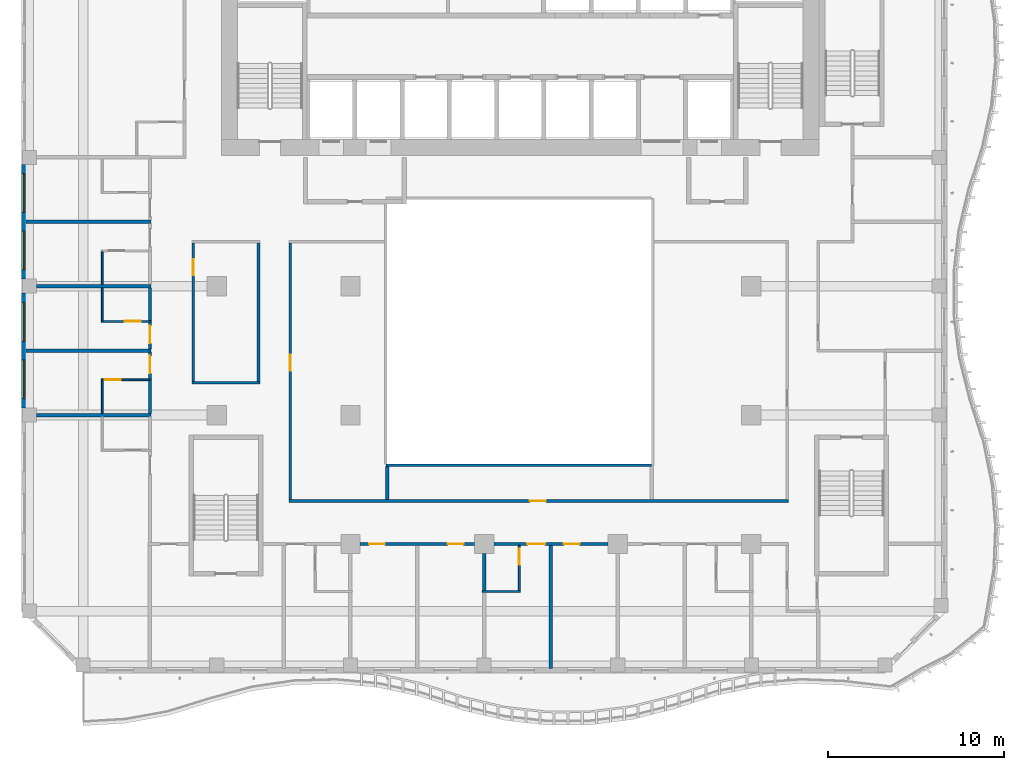
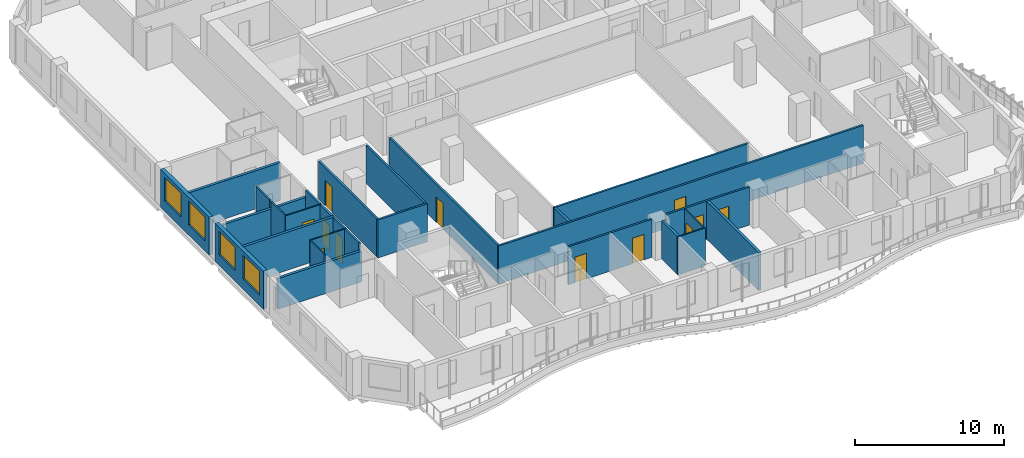
# One storey, part 3 of 21: 28 walls, 12 doors, 4 windows, 16 openings.
"""IFC4 building model written with IfcOpenShell, lengths in metres."""

from ifc_helpers import new_model, si_unit, direction, frame, frame_2d, origin, place, context, subcontext, project, spatial, rectangle, extrude, source, transform, mapped, material, layer, layer_set, type_object, element, fill, save


model = new_model("IFC4")

# Units and contexts
model_context = context("Model", 3, precision=1e-05, world=origin(), true_north=direction((0.0, 1.0)))
body_context = subcontext(model_context, "Body", "Model", "MODEL_VIEW")
ifc_project = project(units=[si_unit("LENGTHUNIT", "METRE"), si_unit("AREAUNIT", "SQUARE_METRE"), si_unit("VOLUMEUNIT", "CUBIC_METRE"), si_unit("PLANEANGLEUNIT", "RADIAN"), si_unit("MASSUNIT", "GRAM", prefix="KILO")], contexts=[model_context])

# Site, building, storey
site_placement = place(None, origin())
site = spatial("IfcSite", under=ifc_project, at=site_placement, CompositionType="ELEMENT")
building_placement = place(site_placement, origin())
building = spatial("IfcBuilding", under=site, at=building_placement, Name="Kilnfold Tower and Market Hall", CompositionType="ELEMENT")
storey_placement = place(building_placement, frame((0.0, 0.0, 147.300048828125)))
storey = spatial("IfcBuildingStorey", under=building, at=storey_placement, Name="L33", CompositionType="ELEMENT", Elevation=147.300048828125)

# Wall
ifc_material_1 = material(Name="Fire-resisting glazed screen")
ifc_layer_1 = layer(ifc_material_1, 0.14990234375)
ifc_layer_set_1 = layer_set([ifc_layer_1], Name="Fire-resisting glazed screen")
wall_type_1 = type_object("IfcWallType", Name="WALL ATRIUM 150", PredefinedType="PARTITIONING", material=ifc_layer_set_1)
wall_1_placement = place(storey_placement, frame((8.5, -9.47509765625, 0.0), z_axis=(0.0, 0.0, 1.0), x_axis=(-1.0, 0.0, 0.0)))
element("IfcWall", 1, at=wall_1_placement, inside=storey, type_object=wall_type_1, Name="Partition LY21.128", PredefinedType="PARTITIONING", context=body_context, shape_type="SweptSolid", body=[
    extrude(rectangle(XDim=15.074951171875, YDim=0.14990234375, at=frame_2d((7.53759765625, 0.0))), origin(), (0.0, 0.0, 1.0), 3.119873046875),
])

# Wall, openings, doors
ifc_material_2 = material(Name="Gypsum board on steel studs", Category="steel")
ifc_layer_2 = layer(ifc_material_2, 0.14990234375)
ifc_layer_set_2 = layer_set([ifc_layer_2], Name="Gypsum board on steel studs")
wall_type_2 = type_object("IfcWallType", Name="WALL CORRIDOR 150", PredefinedType="PARTITIONING", material=ifc_layer_set_2)
wall_2_placement = place(storey_placement, frame((-8.032958984375, -13.93798828125, 0.0), z_axis=(0.0, 0.0, 1.0), x_axis=(1.0, 0.0, 0.0)))
wall_2 = element("IfcWall", 2, at=wall_2_placement, inside=storey, type_object=wall_type_2, Name="Partition LY21.3", PredefinedType="PARTITIONING", context=body_context, shape_type="SweptSolid", body=[
    extrude(rectangle(XDim=6.48291015625, YDim=0.14990234375, at=frame_2d((3.241455078125, 0.0))), origin(), (0.0, 0.0, 1.0), 3.119873046875),
])
opening_1_placement = place(wall_2_placement, frame((0.508056640625, 0.0, 0.0)))
opening_1 = element("IfcOpeningElement", 3, at=opening_1_placement, cuts=wall_2, Name="Opening D2", PredefinedType="OPENING", context=body_context, shape_type="SweptSolid", body=[
    extrude(rectangle(XDim=0.89990234375, YDim=2.10009765625, at=frame_2d((0.449951171875, 1.050048828125))), frame((0.0, 0.0849609375, 0.0), z_axis=(0.0, -1.0, 0.0), x_axis=(1.0, 0.0, 0.0)), (0.0, 0.0, 1.0), 0.169921875),
])
opening_2_placement = place(wall_2_placement, frame((4.971923828125, 0.0, 0.0)))
opening_2 = element("IfcOpeningElement", 4, at=opening_2_placement, cuts=wall_2, Name="Opening D2", PredefinedType="OPENING", context=body_context, shape_type="SweptSolid", body=[
    extrude(rectangle(XDim=0.89990234375, YDim=2.10009765625, at=frame_2d((0.449951171875, 1.050048828125))), frame((0.0, 0.0849609375, 0.0), z_axis=(0.0, -1.0, 0.0), x_axis=(1.0, 0.0, 0.0)), (0.0, 0.0, 1.0), 0.169921875),
])
ifc_material_3 = material(Name="Timber veneer door leaf in steel frame", Category="steel")
door_type_1 = type_object("IfcDoorType", Name="DOOR ROOM 900 X2100", OperationType="NOTDEFINED", PredefinedType="DOOR", material=ifc_material_3)
door_1_placement = place(opening_1_placement, origin())
door_1 = element("IfcDoor", 5, at=door_1_placement, inside=storey, type_object=door_type_1, Name="Door D2", OperationType="SINGLE_SWING_RIGHT", OverallHeight=2.10009765625, OverallWidth=0.89990234375, PredefinedType="DOOR", context=body_context, shape_type="SweptSolid", body=[
    extrude(rectangle(XDim=0.89990234375, YDim=2.10009765625, at=frame_2d((0.449951171875, 1.050048828125))), frame((0.0, 0.02490234375, 0.0), z_axis=(0.0, -1.0, 0.0), x_axis=(1.0, 0.0, 0.0)), (0.0, 0.0, 1.0), 0.050048828125),
])
fill(opening_1, door_1)
door_2_placement = place(opening_2_placement, origin())
door_2 = element("IfcDoor", 6, at=door_2_placement, inside=storey, type_object=door_type_1, Name="Door D2", OperationType="SINGLE_SWING_RIGHT", OverallHeight=2.10009765625, OverallWidth=0.89990234375, PredefinedType="DOOR", context=body_context, shape_type="SweptSolid", body=[
    extrude(rectangle(XDim=0.89990234375, YDim=2.10009765625, at=frame_2d((0.449951171875, 1.050048828125))), frame((0.0, 0.02490234375, 0.0), z_axis=(0.0, -1.0, 0.0), x_axis=(1.0, 0.0, 0.0)), (0.0, 0.0, 1.0), 0.050048828125),
])
fill(opening_2, door_2)

wall_3_placement = place(storey_placement, frame((-0.449951171875, -13.93798828125, 0.0), z_axis=(0.0, 0.0, 1.0), x_axis=(1.0, 0.0, 0.0)))
wall_3 = element("IfcWall", 7, at=wall_3_placement, inside=storey, type_object=wall_type_2, Name="Partition LY21.4", PredefinedType="PARTITIONING", context=body_context, shape_type="SweptSolid", body=[
    extrude(rectangle(XDim=6.48291015625, YDim=0.14990234375, at=frame_2d((3.241455078125, 0.0))), origin(), (0.0, 0.0, 1.0), 3.119873046875),
])
opening_3_placement = place(wall_3_placement, frame((1.908935546875, 0.0, 0.0)))
opening_3 = element("IfcOpeningElement", 8, at=opening_3_placement, cuts=wall_3, Name="Opening D1", PredefinedType="OPENING", context=body_context, shape_type="SweptSolid", body=[
    extrude(rectangle(XDim=1.0, YDim=2.10009765625, at=frame_2d((0.5, 1.050048828125))), frame((0.0, 0.0849609375, 0.0), z_axis=(0.0, -1.0, 0.0), x_axis=(1.0, 0.0, 0.0)), (0.0, 0.0, 1.0), 0.169921875),
])
opening_4_placement = place(wall_3_placement, frame((3.968017578125, 0.0, 0.0)))
opening_4 = element("IfcOpeningElement", 9, at=opening_4_placement, cuts=wall_3, Name="Opening D2", PredefinedType="OPENING", context=body_context, shape_type="SweptSolid", body=[
    extrude(rectangle(XDim=0.89990234375, YDim=2.10009765625, at=frame_2d((0.449951171875, 1.050048828125))), frame((0.0, 0.0849609375, 0.0), z_axis=(0.0, -1.0, 0.0), x_axis=(1.0, 0.0, 0.0)), (0.0, 0.0, 1.0), 0.169921875),
])
ifc_material_4 = material(Name="Timber veneer door leaf in steel frame", Category="steel")
door_type_2 = type_object("IfcDoorType", Name="DOOR ENTRY 1000 X2100", OperationType="NOTDEFINED", PredefinedType="DOOR", material=ifc_material_4)
door_3_placement = place(opening_3_placement, origin())
door_3 = element("IfcDoor", 10, at=door_3_placement, inside=storey, type_object=door_type_2, Name="Door D1", OperationType="SINGLE_SWING_RIGHT", OverallHeight=2.10009765625, OverallWidth=1.0, PredefinedType="DOOR", context=body_context, shape_type="SweptSolid", body=[
    extrude(rectangle(XDim=1.0, YDim=2.10009765625, at=frame_2d((0.5, 1.050048828125))), frame((0.0, 0.02490234375, 0.0), z_axis=(0.0, -1.0, 0.0), x_axis=(1.0, 0.0, 0.0)), (0.0, 0.0, 1.0), 0.050048828125),
])
fill(opening_3, door_3)
door_4_placement = place(opening_4_placement, origin())
door_4 = element("IfcDoor", 11, at=door_4_placement, inside=storey, type_object=door_type_1, Name="Door D2", OperationType="SINGLE_SWING_LEFT", OverallHeight=2.10009765625, OverallWidth=0.89990234375, PredefinedType="DOOR", context=body_context, shape_type="SweptSolid", body=[
    extrude(rectangle(XDim=0.89990234375, YDim=2.10009765625, at=frame_2d((0.449951171875, 1.050048828125))), frame((0.0, 0.02490234375, 0.0), z_axis=(0.0, -1.0, 0.0), x_axis=(1.0, 0.0, 0.0)), (0.0, 0.0, 1.0), 0.050048828125),
])
fill(opening_4, door_4)

# Wall, opening, door
wall_4_placement = place(storey_placement, frame((-19.958984375, -4.5849609375, 0.0), z_axis=(0.0, 0.0, 1.0), x_axis=(0.0, 1.0, 0.0)))
wall_4 = element("IfcWall", 12, at=wall_4_placement, inside=storey, type_object=wall_type_2, Name="Partition LY21.12", PredefinedType="PARTITIONING", context=body_context, shape_type="SweptSolid", body=[
    extrude(rectangle(XDim=1.52587890625, YDim=0.14990234375, at=frame_2d((0.762939453125, 0.0))), origin(), (0.0, 0.0, 1.0), 3.119873046875),
])
opening_5_placement = place(wall_4_placement, frame((0.325927734375, 0.0, 0.0)))
opening_5 = element("IfcOpeningElement", 13, at=opening_5_placement, cuts=wall_4, Name="Opening D1", PredefinedType="OPENING", context=body_context, shape_type="SweptSolid", body=[
    extrude(rectangle(XDim=1.0, YDim=2.10009765625, at=frame_2d((0.5, 1.050048828125))), frame((0.0, 0.0849609375, 0.0), z_axis=(0.0, -1.0, 0.0), x_axis=(1.0, 0.0, 0.0)), (0.0, 0.0, 1.0), 0.169921875),
])
door_5_placement = place(opening_5_placement, origin())
door_5 = element("IfcDoor", 14, at=door_5_placement, inside=storey, type_object=door_type_2, Name="Door D1", OperationType="SINGLE_SWING_LEFT", OverallHeight=2.10009765625, OverallWidth=1.0, PredefinedType="DOOR", context=body_context, shape_type="SweptSolid", body=[
    extrude(rectangle(XDim=1.0, YDim=2.10009765625, at=frame_2d((0.5, 1.050048828125))), frame((0.0, 0.02490234375, 0.0), z_axis=(0.0, -1.0, 0.0), x_axis=(1.0, 0.0, 0.0)), (0.0, 0.0, 1.0), 0.050048828125),
])
fill(opening_5, door_5)

# Wall
wall_5_placement = place(storey_placement, frame((-19.958984375, -6.534912109375, 0.0), z_axis=(0.0, 0.0, 1.0), x_axis=(0.0, 1.0, 0.0)))
element("IfcWall", 15, at=wall_5_placement, inside=storey, type_object=wall_type_2, Name="Partition LY21.13", PredefinedType="PARTITIONING", context=body_context, shape_type="SweptSolid", body=[
    extrude(rectangle(XDim=1.869873046875, YDim=0.14990234375, at=frame_2d((0.93505859375, 0.0))), origin(), (0.0, 0.0, 1.0), 3.119873046875),
])

# Wall, opening, door
wall_6_placement = place(storey_placement, frame((-19.958984375, -2.87890625, 0.0), z_axis=(0.0, 0.0, 1.0), x_axis=(0.0, 1.0, 0.0)))
wall_6 = element("IfcWall", 16, at=wall_6_placement, inside=storey, type_object=wall_type_2, Name="Partition LY21.14", PredefinedType="PARTITIONING", context=body_context, shape_type="SweptSolid", body=[
    extrude(rectangle(XDim=1.52685546875, YDim=0.14990234375, at=frame_2d((0.763427734375, 0.0))), origin(), (0.0, 0.0, 1.0), 3.119873046875),
])
opening_6_placement = place(wall_6_placement, frame((0.326904296875, 0.0, 0.0)))
opening_6 = element("IfcOpeningElement", 17, at=opening_6_placement, cuts=wall_6, Name="Opening D1", PredefinedType="OPENING", context=body_context, shape_type="SweptSolid", body=[
    extrude(rectangle(XDim=1.0, YDim=2.10009765625, at=frame_2d((0.5, 1.050048828125))), frame((0.0, 0.0849609375, 0.0), z_axis=(0.0, -1.0, 0.0), x_axis=(1.0, 0.0, 0.0)), (0.0, 0.0, 1.0), 0.169921875),
])
door_6_placement = place(opening_6_placement, origin())
door_6 = element("IfcDoor", 18, at=door_6_placement, inside=storey, type_object=door_type_2, Name="Door D1", OperationType="SINGLE_SWING_LEFT", OverallHeight=2.10009765625, OverallWidth=1.0, PredefinedType="DOOR", context=body_context, shape_type="SweptSolid", body=[
    extrude(rectangle(XDim=1.0, YDim=2.10009765625, at=frame_2d((0.5, 1.050048828125))), frame((0.0, 0.02490234375, 0.0), z_axis=(0.0, -1.0, 0.0), x_axis=(1.0, 0.0, 0.0)), (0.0, 0.0, 1.0), 0.050048828125),
])
fill(opening_6, door_6)

# Wall
wall_7_placement = place(storey_placement, frame((-19.958984375, -1.27197265625, 0.0), z_axis=(0.0, 0.0, 1.0), x_axis=(0.0, 1.0, 0.0)))
element("IfcWall", 19, at=wall_7_placement, inside=storey, type_object=wall_type_2, Name="Partition LY21.15", PredefinedType="PARTITIONING", context=body_context, shape_type="SweptSolid", body=[
    extrude(rectangle(XDim=1.869873046875, YDim=0.14990234375, at=frame_2d((0.93505859375, 0.0))), origin(), (0.0, 0.0, 1.0), 3.119873046875),
])

# Wall, opening, door
wall_8_placement = place(storey_placement, frame((-12.0, -11.425048828125, 0.0), z_axis=(0.0, 0.0, 1.0), x_axis=(0.0, 1.0, 0.0)))
wall_8 = element("IfcWall", 20, at=wall_8_placement, inside=storey, type_object=wall_type_2, Name="Partition LY21.37", PredefinedType="PARTITIONING", context=body_context, shape_type="SweptSolid", body=[
    extrude(rectangle(XDim=14.550048828125, YDim=0.14990234375, at=frame_2d((7.27490234375, 0.0))), origin(), (0.0, 0.0, 1.0), 3.119873046875),
])
opening_7_placement = place(wall_8_placement, frame((7.326904296875, 0.0, 0.0)))
opening_7 = element("IfcOpeningElement", 21, at=opening_7_placement, cuts=wall_8, Name="Opening D2", PredefinedType="OPENING", context=body_context, shape_type="SweptSolid", body=[
    extrude(rectangle(XDim=0.89990234375, YDim=2.10009765625, at=frame_2d((0.449951171875, 1.050048828125))), frame((0.0, 0.0849609375, 0.0), z_axis=(0.0, -1.0, 0.0), x_axis=(1.0, 0.0, 0.0)), (0.0, 0.0, 1.0), 0.169921875),
])
door_7_placement = place(opening_7_placement, origin())
door_7 = element("IfcDoor", 22, at=door_7_placement, inside=storey, type_object=door_type_1, Name="Door D2", OperationType="SINGLE_SWING_RIGHT", OverallHeight=2.10009765625, OverallWidth=0.89990234375, PredefinedType="DOOR", context=body_context, shape_type="SweptSolid", body=[
    extrude(rectangle(XDim=0.89990234375, YDim=2.10009765625, at=frame_2d((0.449951171875, 1.050048828125))), frame((0.0, 0.02490234375, 0.0), z_axis=(0.0, -1.0, 0.0), x_axis=(1.0, 0.0, 0.0)), (0.0, 0.0, 1.0), 0.050048828125),
])
fill(opening_7, door_7)

wall_9_placement = place(storey_placement, frame((-12.074951171875, -11.5, 0.0), z_axis=(0.0, 0.0, 1.0), x_axis=(1.0, 0.0, 0.0)))
wall_9 = element("IfcWall", 23, at=wall_9_placement, inside=storey, type_object=wall_type_2, Name="Partition LY21.38", PredefinedType="PARTITIONING", context=body_context, shape_type="SweptSolid", body=[
    extrude(rectangle(XDim=28.349853515625, YDim=0.14990234375, at=frame_2d((14.1748046875, 0.0))), origin(), (0.0, 0.0, 1.0), 3.119873046875),
])
opening_8_placement = place(wall_9_placement, frame((13.677001953125, 0.0, 0.0)))
opening_8 = element("IfcOpeningElement", 24, at=opening_8_placement, cuts=wall_9, Name="Opening D2", PredefinedType="OPENING", context=body_context, shape_type="SweptSolid", body=[
    extrude(rectangle(XDim=0.89990234375, YDim=2.10009765625, at=frame_2d((0.449951171875, 1.050048828125))), frame((0.0, 0.0849609375, 0.0), z_axis=(0.0, -1.0, 0.0), x_axis=(1.0, 0.0, 0.0)), (0.0, 0.0, 1.0), 0.169921875),
])
door_8_placement = place(opening_8_placement, origin())
door_8 = element("IfcDoor", 25, at=door_8_placement, inside=storey, type_object=door_type_1, Name="Door D2", OperationType="SINGLE_SWING_LEFT", OverallHeight=2.10009765625, OverallWidth=0.89990234375, PredefinedType="DOOR", context=body_context, shape_type="SweptSolid", body=[
    extrude(rectangle(XDim=0.89990234375, YDim=2.10009765625, at=frame_2d((0.449951171875, 1.050048828125))), frame((0.0, 0.02490234375, 0.0), z_axis=(0.0, -1.0, 0.0), x_axis=(1.0, 0.0, 0.0)), (0.0, 0.0, 1.0), 0.050048828125),
])
fill(opening_8, door_8)

wall_10_placement = place(storey_placement, frame((-17.5, -4.72509765625, 0.0), z_axis=(0.0, 0.0, 1.0), x_axis=(0.0, 1.0, 0.0)))
wall_10 = element("IfcWall", 26, at=wall_10_placement, inside=storey, type_object=wall_type_2, Name="Partition LY21.40", PredefinedType="PARTITIONING", context=body_context, shape_type="SweptSolid", body=[
    extrude(rectangle(XDim=7.85009765625, YDim=0.14990234375, at=frame_2d((3.925048828125, 0.0))), origin(), (0.0, 0.0, 1.0), 3.119873046875),
])
opening_9_placement = place(wall_10_placement, frame((6.044921875, 0.0, 0.0)))
opening_9 = element("IfcOpeningElement", 27, at=opening_9_placement, cuts=wall_10, Name="Opening D2", PredefinedType="OPENING", context=body_context, shape_type="SweptSolid", body=[
    extrude(rectangle(XDim=0.89990234375, YDim=2.10009765625, at=frame_2d((0.449951171875, 1.050048828125))), frame((0.0, 0.0849609375, 0.0), z_axis=(0.0, -1.0, 0.0), x_axis=(1.0, 0.0, 0.0)), (0.0, 0.0, 1.0), 0.169921875),
])
door_9_placement = place(opening_9_placement, origin())
door_9 = element("IfcDoor", 28, at=door_9_placement, inside=storey, type_object=door_type_1, Name="Door D2", OperationType="SINGLE_SWING_LEFT", OverallHeight=2.10009765625, OverallWidth=0.89990234375, PredefinedType="DOOR", context=body_context, shape_type="SweptSolid", body=[
    extrude(rectangle(XDim=0.89990234375, YDim=2.10009765625, at=frame_2d((0.449951171875, 1.050048828125))), frame((0.0, 0.02490234375, 0.0), z_axis=(0.0, -1.0, 0.0), x_axis=(1.0, 0.0, 0.0)), (0.0, 0.0, 1.0), 0.050048828125),
])
fill(opening_9, door_9)

# Walls
wall_11_placement = place(storey_placement, frame((-13.72509765625, -4.800048828125, 0.0), z_axis=(0.0, 0.0, 1.0), x_axis=(-1.0, 0.0, 0.0)))
element("IfcWall", 29, at=wall_11_placement, inside=storey, type_object=wall_type_2, Name="Partition LY21.41", PredefinedType="PARTITIONING", context=body_context, shape_type="SweptSolid", body=[
    extrude(rectangle(XDim=3.849853515625, YDim=0.14990234375, at=frame_2d((1.9248046875, 0.0))), origin(), (0.0, 0.0, 1.0), 3.119873046875),
])
wall_12_placement = place(storey_placement, frame((-13.800048828125, 3.125, 0.0), z_axis=(0.0, 0.0, 1.0), x_axis=(0.0, -1.0, 0.0)))
element("IfcWall", 30, at=wall_12_placement, inside=storey, type_object=wall_type_2, Name="Partition LY21.42", PredefinedType="PARTITIONING", context=body_context, shape_type="SweptSolid", body=[
    extrude(rectangle(XDim=7.85009765625, YDim=0.14990234375, at=frame_2d((3.925048828125, 0.0))), origin(), (0.0, 0.0, 1.0), 3.119873046875),
])

# Wall, opening, door
ifc_material_5 = material(Name="Gypsum board on steel studs", Category="steel")
ifc_layer_3 = layer(ifc_material_5, 0.10009765625)
ifc_layer_set_3 = layer_set([ifc_layer_3], Name="Gypsum board on steel studs")
wall_type_3 = type_object("IfcWallType", Name="WALL PARTITION 100", PredefinedType="PARTITIONING", material=ifc_layer_set_3)
wall_13_placement = place(storey_placement, frame((1.0, -16.590087890625, 0.0), z_axis=(0.0, 0.0, 1.0), x_axis=(0.0, 1.0, 0.0)))
wall_13 = element("IfcWall", 31, at=wall_13_placement, inside=storey, type_object=wall_type_3, Name="Partition LY21.54", PredefinedType="PARTITIONING", context=body_context, shape_type="SweptSolid", body=[
    extrude(rectangle(XDim=2.5751953125, YDim=0.10009765625, at=frame_2d((1.28759765625, 0.0))), origin(), (0.0, 0.0, 1.0), 3.119873046875),
])
opening_10_placement = place(wall_13_placement, frame((1.47509765625, 0.0, 0.0)))
opening_10 = element("IfcOpeningElement", 32, at=opening_10_placement, cuts=wall_13, Name="Opening D3", PredefinedType="OPENING", context=body_context, shape_type="SweptSolid", body=[
    extrude(rectangle(XDim=0.89990234375, YDim=2.10009765625, at=frame_2d((0.449951171875, 1.050048828125))), frame((0.0, 0.06005859375, 0.0), z_axis=(0.0, -1.0, 0.0), x_axis=(1.0, 0.0, 0.0)), (0.0, 0.0, 1.0), 0.1201171875),
])
ifc_material_6 = material(Name="Timber veneer door leaf in steel frame", Category="steel")
door_type_3 = type_object("IfcDoorType", Name="DOOR WC 900 X2100", OperationType="NOTDEFINED", PredefinedType="DOOR", material=ifc_material_6)
door_10_placement = place(opening_10_placement, origin())
door_10 = element("IfcDoor", 33, at=door_10_placement, inside=storey, type_object=door_type_3, Name="Door D3", OperationType="SINGLE_SWING_LEFT", OverallHeight=2.10009765625, OverallWidth=0.89990234375, PredefinedType="DOOR", context=body_context, shape_type="SweptSolid", body=[
    extrude(rectangle(XDim=0.89990234375, YDim=2.10009765625, at=frame_2d((0.449951171875, 1.050048828125))), frame((0.0, 0.02490234375, 0.0), z_axis=(0.0, -1.0, 0.0), x_axis=(1.0, 0.0, 0.0)), (0.0, 0.0, 1.0), 0.050048828125),
])
fill(opening_10, door_10)

# Wall
wall_14_placement = place(storey_placement, frame((-1.10009765625, -16.639892578125, 0.0), z_axis=(0.0, 0.0, 1.0), x_axis=(1.0, 0.0, 0.0)))
element("IfcWall", 34, at=wall_14_placement, inside=storey, type_object=wall_type_3, Name="Partition LY21.55", PredefinedType="PARTITIONING", context=body_context, shape_type="SweptSolid", body=[
    extrude(rectangle(XDim=2.150146484375, YDim=0.10009765625, at=frame_2d((1.0751953125, 0.0))), origin(), (0.0, 0.0, 1.0), 3.119873046875),
])

# Wall, opening, door
wall_15_placement = place(storey_placement, frame((-22.7109375, -4.625, 0.0), z_axis=(0.0, 0.0, 1.0), x_axis=(1.0, 0.0, 0.0)))
wall_15 = element("IfcWall", 35, at=wall_15_placement, inside=storey, type_object=wall_type_3, Name="Partition LY21.68", PredefinedType="PARTITIONING", context=body_context, shape_type="SweptSolid", body=[
    extrude(rectangle(XDim=2.824951171875, YDim=0.10009765625, at=frame_2d((1.41259765625, 0.0))), origin(), (0.0, 0.0, 1.0), 3.119873046875),
])
opening_11_placement = place(wall_15_placement, frame((0.199951171875, 0.0, 0.0)))
opening_11 = element("IfcOpeningElement", 36, at=opening_11_placement, cuts=wall_15, Name="Opening D3", PredefinedType="OPENING", context=body_context, shape_type="SweptSolid", body=[
    extrude(rectangle(XDim=0.89990234375, YDim=2.10009765625, at=frame_2d((0.449951171875, 1.050048828125))), frame((0.0, 0.06005859375, 0.0), z_axis=(0.0, -1.0, 0.0), x_axis=(1.0, 0.0, 0.0)), (0.0, 0.0, 1.0), 0.1201171875),
])
door_11_placement = place(opening_11_placement, origin())
door_11 = element("IfcDoor", 37, at=door_11_placement, inside=storey, type_object=door_type_3, Name="Door D3", OperationType="SINGLE_SWING_LEFT", OverallHeight=2.10009765625, OverallWidth=0.89990234375, PredefinedType="DOOR", context=body_context, shape_type="SweptSolid", body=[
    extrude(rectangle(XDim=0.89990234375, YDim=2.10009765625, at=frame_2d((0.449951171875, 1.050048828125))), frame((0.0, 0.02490234375, 0.0), z_axis=(0.0, -1.0, 0.0), x_axis=(1.0, 0.0, 0.0)), (0.0, 0.0, 1.0), 0.050048828125),
])
fill(opening_11, door_11)

# Wall
wall_16_placement = place(storey_placement, frame((-22.660888671875, -6.52490234375, 0.0), z_axis=(0.0, 0.0, 1.0), x_axis=(0.0, 1.0, 0.0)))
element("IfcWall", 38, at=wall_16_placement, inside=storey, type_object=wall_type_3, Name="Partition LY21.69", PredefinedType="PARTITIONING", context=body_context, shape_type="SweptSolid", body=[
    extrude(rectangle(XDim=1.849853515625, YDim=0.10009765625, at=frame_2d((0.9248046875, 0.0))), origin(), (0.0, 0.0, 1.0), 3.119873046875),
])

# Wall, opening, door
wall_17_placement = place(storey_placement, frame((-19.885986328125, -1.31201171875, 0.0), z_axis=(0.0, 0.0, 1.0), x_axis=(-1.0, 0.0, 0.0)))
wall_17 = element("IfcWall", 39, at=wall_17_placement, inside=storey, type_object=wall_type_3, Name="Partition LY21.71", PredefinedType="PARTITIONING", context=body_context, shape_type="SweptSolid", body=[
    extrude(rectangle(XDim=2.824951171875, YDim=0.10009765625, at=frame_2d((1.41259765625, 0.0))), origin(), (0.0, 0.0, 1.0), 3.119873046875),
])
opening_12_placement = place(wall_17_placement, frame((0.60693359375, 0.0, 0.0)))
opening_12 = element("IfcOpeningElement", 40, at=opening_12_placement, cuts=wall_17, Name="Opening D3", PredefinedType="OPENING", context=body_context, shape_type="SweptSolid", body=[
    extrude(rectangle(XDim=0.89990234375, YDim=2.10009765625, at=frame_2d((0.449951171875, 1.050048828125))), frame((0.0, 0.06005859375, 0.0), z_axis=(0.0, -1.0, 0.0), x_axis=(1.0, 0.0, 0.0)), (0.0, 0.0, 1.0), 0.1201171875),
])
door_12_placement = place(opening_12_placement, origin())
door_12 = element("IfcDoor", 41, at=door_12_placement, inside=storey, type_object=door_type_3, Name="Door D3", OperationType="SINGLE_SWING_LEFT", OverallHeight=2.10009765625, OverallWidth=0.89990234375, PredefinedType="DOOR", context=body_context, shape_type="SweptSolid", body=[
    extrude(rectangle(XDim=0.89990234375, YDim=2.10009765625, at=frame_2d((0.449951171875, 1.050048828125))), frame((0.0, 0.02490234375, 0.0), z_axis=(0.0, -1.0, 0.0), x_axis=(1.0, 0.0, 0.0)), (0.0, 0.0, 1.0), 0.050048828125),
])
fill(opening_12, door_12)

# Walls
for number, where, z_axis, x_axis, name in (
    (42, (-22.660888671875, -1.261962890625, 0.0), (0.0, 0.0, 1.0), (0.0, 1.0, 0.0), "Partition LY21.72"),
    (43, (-22.660888671875, 0.7880859375, 0.0), (0.0, 0.0, 1.0), (0.0, 1.0, 0.0), "Partition LY21.75"),
):
    element("IfcWall", number, at=place(storey_placement, frame(where, z_axis=z_axis, x_axis=x_axis)), inside=storey, type_object=wall_type_3, Name=name, PredefinedType="PARTITIONING", context=body_context, shape_type="SweptSolid", body=[
        extrude(rectangle(XDim=1.849853515625, YDim=0.10009765625, at=frame_2d((0.9248046875, 0.0))), origin(), (0.0, 0.0, 1.0), 3.119873046875),
    ])
ifc_material_7 = material(Name="Gypsum board on steel studs", Category="steel")
ifc_layer_4 = layer(ifc_material_7, 0.199951171875)
ifc_layer_set_4 = layer_set([ifc_layer_4], Name="Gypsum board on steel studs")
wall_type_4 = type_object("IfcWallType", Name="WALL PARTY 200", PredefinedType="PARTITIONING", material=ifc_layer_set_4)
wall_18_placement = place(storey_placement, frame((-1.0, -16.60009765625, 0.0), z_axis=(0.0, 0.0, 1.0), x_axis=(0.0, 1.0, 0.0)))
element("IfcWall", 44, at=wall_18_placement, inside=storey, type_object=wall_type_4, Name="Partition LY21.53", PredefinedType="PARTITIONING", context=body_context, shape_type="SweptSolid", body=[
    extrude(rectangle(XDim=2.112060546875, YDim=0.199951171875, at=frame_2d((1.05615234375, 0.0))), origin(), (0.0, 0.0, 1.0), 3.119873046875),
])
wall_19_placement = place(storey_placement, frame((2.7919921875, -21.0, 0.0), z_axis=(0.0, 0.0, 1.0), x_axis=(0.0, 1.0, 0.0)))
element("IfcWall", 45, at=wall_19_placement, inside=storey, type_object=wall_type_4, Name="Partition LY21.56", PredefinedType="PARTITIONING", context=body_context, shape_type="SweptSolid", body=[
    extrude(rectangle(XDim=6.985107421875, YDim=0.199951171875, at=frame_2d((3.49267578125, 0.0))), origin(), (0.0, 0.0, 1.0), 3.119873046875),
])
wall_20_placement = place(storey_placement, frame((-26.39990234375, -6.625, 0.0), z_axis=(0.0, 0.0, 1.0), x_axis=(1.0, 0.0, 0.0)))
element("IfcWall", 46, at=wall_20_placement, inside=storey, type_object=wall_type_4, Name="Partition LY21.67", PredefinedType="PARTITIONING", context=body_context, shape_type="SweptSolid", body=[
    extrude(rectangle(XDim=6.513916015625, YDim=0.199951171875, at=frame_2d((3.2568359375, 0.0))), origin(), (0.0, 0.0, 1.0), 2.52001953125),
])
wall_21_placement = place(storey_placement, frame((-19.885986328125, -2.968994140625, 0.0), z_axis=(0.0, 0.0, 1.0), x_axis=(-1.0, 0.0, 0.0)))
element("IfcWall", 47, at=wall_21_placement, inside=storey, type_object=wall_type_4, Name="Partition LY21.70", PredefinedType="PARTITIONING", context=body_context, shape_type="SweptSolid", body=[
    extrude(rectangle(XDim=7.114013671875, YDim=0.199951171875, at=frame_2d((3.55712890625, 0.0))), origin(), (0.0, 0.0, 1.0), 3.119873046875),
])
wall_22_placement = place(storey_placement, frame((-26.39990234375, 0.68798828125, 0.0), z_axis=(0.0, 0.0, 1.0), x_axis=(1.0, 0.0, 0.0)))
element("IfcWall", 48, at=wall_22_placement, inside=storey, type_object=wall_type_4, Name="Partition LY21.73", PredefinedType="PARTITIONING", context=body_context, shape_type="SweptSolid", body=[
    extrude(rectangle(XDim=6.513916015625, YDim=0.199951171875, at=frame_2d((3.2568359375, 0.0))), origin(), (0.0, 0.0, 1.0), 2.52001953125),
])
wall_23_placement = place(storey_placement, frame((-27.0, 4.343994140625, 0.0), z_axis=(0.0, 0.0, 1.0), x_axis=(1.0, 0.0, 0.0)))
element("IfcWall", 49, at=wall_23_placement, inside=storey, type_object=wall_type_4, Name="Partition LY21.76", PredefinedType="PARTITIONING", context=body_context, shape_type="SweptSolid", body=[
    extrude(rectangle(XDim=7.114013671875, YDim=0.199951171875, at=frame_2d((3.55712890625, 0.0))), origin(), (0.0, 0.0, 1.0), 3.119873046875),
])
wall_24_placement = place(storey_placement, frame((-6.5, -11.423095703125, 0.0), z_axis=(0.0, 0.0, 1.0), x_axis=(0.0, 1.0, 0.0)))
element("IfcWall", 50, at=wall_24_placement, inside=storey, type_object=wall_type_4, Name="Partition LY21.126", PredefinedType="PARTITIONING", context=body_context, shape_type="SweptSolid", body=[
    extrude(rectangle(XDim=1.883056640625, YDim=0.199951171875, at=frame_2d((0.94140625, 0.0))), origin(), (0.0, 0.0, 1.0), 3.119873046875),
])

# Wall, openings, windows
ifc_material_8 = material(Name="Precast concrete C50/60", Category="concrete")
ifc_layer_5 = layer(ifc_material_8, 0.300048828125)
ifc_layer_set_5 = layer_set([ifc_layer_5], Name="Precast concrete C50/60")
wall_type_5 = type_object("IfcWallType", Name="PRECAST WALL 300", PredefinedType="SOLIDWALL", material=ifc_layer_set_5)
shared_shape = source(origin(), body_context, "Body", "SweptSolid", [
    extrude(rectangle(XDim=6.5126953125, YDim=0.300048828125, at=frame_2d((3.25634765625, 0.0))), origin(), (0.0, 0.0, 1.0), 3.119873046875),
])
wall_25_placement = place(storey_placement, frame((-27.10009765625, 7.60009765625, 0.0), z_axis=(0.0, 0.0, 1.0), x_axis=(0.0, -1.0, 0.0)))
wall_25 = element("IfcWall", 51, at=wall_25_placement, inside=storey, type_object=wall_type_5, Name="External wall L33 W", PredefinedType="SOLIDWALL", context=body_context, shape_type="MappedRepresentation", body=[
    mapped(shared_shape, transform((0.0, 0.0, 0.0))),
])
opening_13_placement = place(wall_25_placement, frame((0.528076171875, 0.0, 0.85009765625)))
opening_13 = element("IfcOpeningElement", 52, at=opening_13_placement, cuts=wall_25, Name="Opening W2", PredefinedType="OPENING", context=body_context, shape_type="SweptSolid", body=[
    extrude(rectangle(XDim=2.199951171875, YDim=1.949951171875, at=frame_2d((1.10009765625, 0.97509765625))), frame((0.0, 0.16015625, 0.0), z_axis=(0.0, -1.0, 0.0), x_axis=(1.0, 0.0, 0.0)), (0.0, 0.0, 1.0), 0.320068359375),
])
opening_14_placement = place(wall_25_placement, frame((3.784423828125, 0.0, 0.85009765625)))
opening_14 = element("IfcOpeningElement", 53, at=opening_14_placement, cuts=wall_25, Name="Opening W2", PredefinedType="OPENING", context=body_context, shape_type="SweptSolid", body=[
    extrude(rectangle(XDim=2.199951171875, YDim=1.949951171875, at=frame_2d((1.10009765625, 0.97509765625))), frame((0.0, 0.16015625, 0.0), z_axis=(0.0, -1.0, 0.0), x_axis=(1.0, 0.0, 0.0)), (0.0, 0.0, 1.0), 0.320068359375),
])
ifc_material_9 = material(Name="Aluminium frame and double glazing", Category="aluminium")
window_type = type_object("IfcWindowType", Name="WINDOW W2 2200X1950", PartitioningType="SINGLE_PANEL", PredefinedType="WINDOW", material=ifc_material_9)
window_1_placement = place(opening_13_placement, origin())
window_1 = element("IfcWindow", 54, at=window_1_placement, inside=storey, type_object=window_type, Name="Window W2 L33 W-1", OverallHeight=1.949951171875, OverallWidth=2.199951171875, PartitioningType="SINGLE_PANEL", PredefinedType="WINDOW", context=body_context, shape_type="SweptSolid", body=[
    extrude(rectangle(XDim=2.199951171875, YDim=1.949951171875, at=frame_2d((1.10009765625, 0.97509765625))), frame((0.0, 0.030029296875, 0.0), z_axis=(0.0, -1.0, 0.0), x_axis=(1.0, 0.0, 0.0)), (0.0, 0.0, 1.0), 0.06005859375),
])
fill(opening_13, window_1)
window_2_placement = place(opening_14_placement, origin())
window_2 = element("IfcWindow", 55, at=window_2_placement, inside=storey, type_object=window_type, Name="Window W2 L33 W-2", OverallHeight=1.949951171875, OverallWidth=2.199951171875, PartitioningType="SINGLE_PANEL", PredefinedType="WINDOW", context=body_context, shape_type="SweptSolid", body=[
    extrude(rectangle(XDim=2.199951171875, YDim=1.949951171875, at=frame_2d((1.10009765625, 0.97509765625))), frame((0.0, 0.030029296875, 0.0), z_axis=(0.0, -1.0, 0.0), x_axis=(1.0, 0.0, 0.0)), (0.0, 0.0, 1.0), 0.06005859375),
])
fill(opening_14, window_2)

wall_26_placement = place(storey_placement, frame((-27.10009765625, 0.28759765625, 0.0), z_axis=(0.0, 0.0, 1.0), x_axis=(0.0, -1.0, 0.0)))
wall_26 = element("IfcWall", 56, at=wall_26_placement, inside=storey, type_object=wall_type_5, Name="External wall L33 W", PredefinedType="SOLIDWALL", context=body_context, shape_type="MappedRepresentation", body=[
    mapped(shared_shape, transform((0.0, 0.0, 0.0))),
])
opening_15_placement = place(wall_26_placement, frame((0.5283203125, 0.0, 0.85009765625)))
opening_15 = element("IfcOpeningElement", 57, at=opening_15_placement, cuts=wall_26, Name="Opening W2", PredefinedType="OPENING", context=body_context, shape_type="SweptSolid", body=[
    extrude(rectangle(XDim=2.199951171875, YDim=1.949951171875, at=frame_2d((1.10009765625, 0.97509765625))), frame((0.0, 0.16015625, 0.0), z_axis=(0.0, -1.0, 0.0), x_axis=(1.0, 0.0, 0.0)), (0.0, 0.0, 1.0), 0.320068359375),
])
opening_16_placement = place(wall_26_placement, frame((3.784423828125, 0.0, 0.85009765625)))
opening_16 = element("IfcOpeningElement", 58, at=opening_16_placement, cuts=wall_26, Name="Opening W2", PredefinedType="OPENING", context=body_context, shape_type="SweptSolid", body=[
    extrude(rectangle(XDim=2.199951171875, YDim=1.949951171875, at=frame_2d((1.10009765625, 0.97509765625))), frame((0.0, 0.16015625, 0.0), z_axis=(0.0, -1.0, 0.0), x_axis=(1.0, 0.0, 0.0)), (0.0, 0.0, 1.0), 0.320068359375),
])
window_3_placement = place(opening_15_placement, origin())
window_3 = element("IfcWindow", 59, at=window_3_placement, inside=storey, type_object=window_type, Name="Window W2 L33 W-1", OverallHeight=1.949951171875, OverallWidth=2.199951171875, PartitioningType="SINGLE_PANEL", PredefinedType="WINDOW", context=body_context, shape_type="SweptSolid", body=[
    extrude(rectangle(XDim=2.199951171875, YDim=1.949951171875, at=frame_2d((1.10009765625, 0.97509765625))), frame((0.0, 0.030029296875, 0.0), z_axis=(0.0, -1.0, 0.0), x_axis=(1.0, 0.0, 0.0)), (0.0, 0.0, 1.0), 0.06005859375),
])
fill(opening_15, window_3)
window_4_placement = place(opening_16_placement, origin())
window_4 = element("IfcWindow", 60, at=window_4_placement, inside=storey, type_object=window_type, Name="Window W2 L33 W-2", OverallHeight=1.949951171875, OverallWidth=2.199951171875, PartitioningType="SINGLE_PANEL", PredefinedType="WINDOW", context=body_context, shape_type="SweptSolid", body=[
    extrude(rectangle(XDim=2.199951171875, YDim=1.949951171875, at=frame_2d((1.10009765625, 0.97509765625))), frame((0.0, 0.030029296875, 0.0), z_axis=(0.0, -1.0, 0.0), x_axis=(1.0, 0.0, 0.0)), (0.0, 0.0, 1.0), 0.06005859375),
])
fill(opening_16, window_4)

save(model, "model.ifc")
